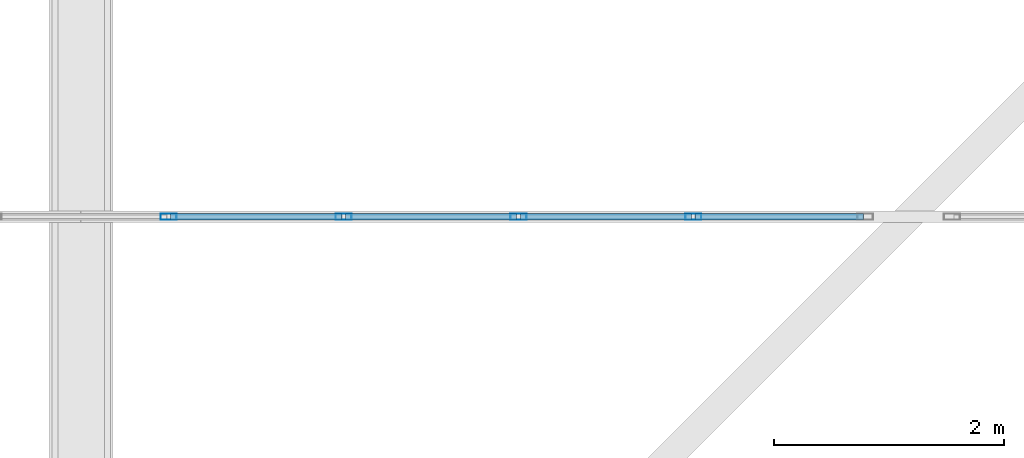
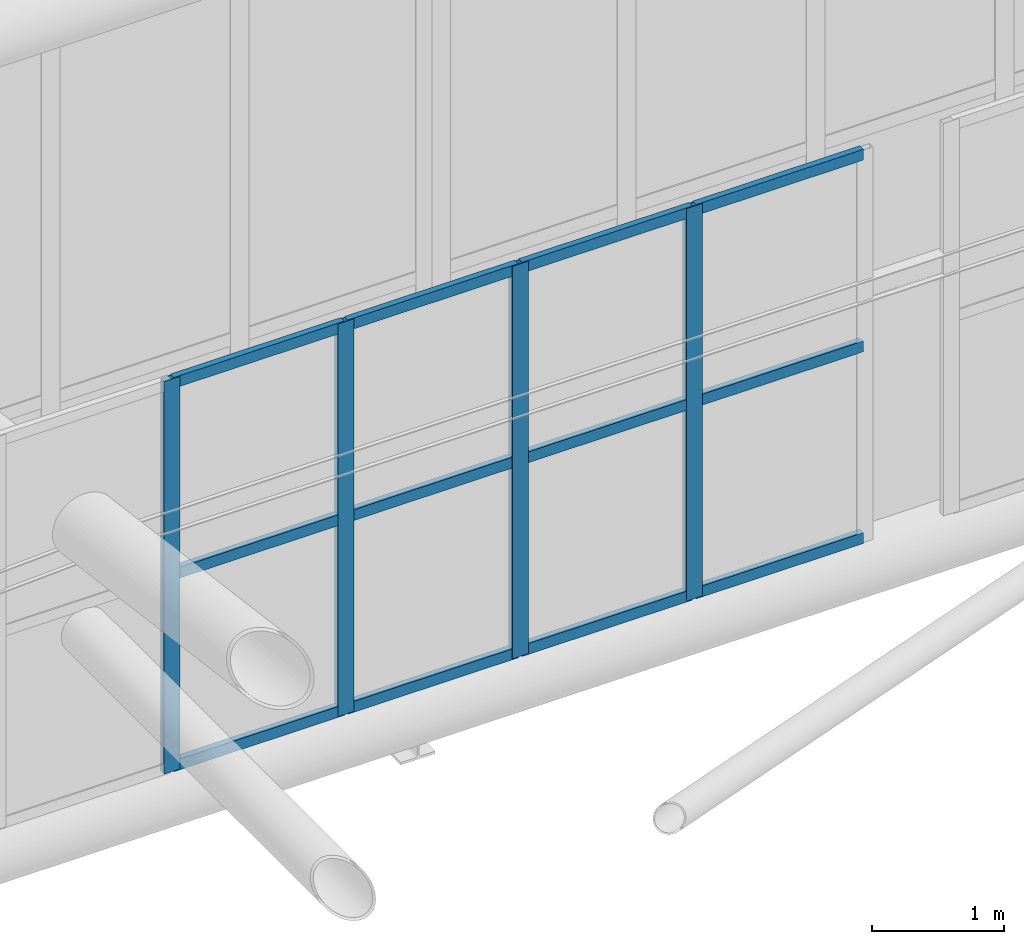
# One storey, part 253 of 397: 16 members, 1 element without a shape of its own.
"""IFC4 building model written with IfcOpenShell, lengths in metres."""

from ifc_helpers import new_model, si_unit, direction, frame, origin, origin_2d, place, context, subcontext, project, spatial, hollow_rectangle, extrude, material, material_profile, profile_set, type_object, element, aggregate, save


model = new_model("IFC4")

# Units and contexts
model_context = context("Model", 3, precision=1e-05, world=origin(), true_north=direction((0.0, 1.0)))
body_context = subcontext(model_context, "Body", "Model", "MODEL_VIEW")
ifc_project = project(units=[si_unit("LENGTHUNIT", "METRE"), si_unit("AREAUNIT", "SQUARE_METRE"), si_unit("VOLUMEUNIT", "CUBIC_METRE"), si_unit("PLANEANGLEUNIT", "RADIAN"), si_unit("MASSUNIT", "GRAM", prefix="KILO")], contexts=[model_context])

# Site, building, storey
site_placement = place(None, origin())
site = spatial("IfcSite", under=ifc_project, at=site_placement, CompositionType="ELEMENT")
building_placement = place(site_placement, origin())
building = spatial("IfcBuilding", under=site, at=building_placement, Name="Qandorah Velis Arena", CompositionType="ELEMENT")
storey_placement = place(building_placement, frame((0.0, 0.0, 27.5)))
storey = spatial("IfcBuildingStorey", under=building, at=storey_placement, Name="RF", CompositionType="ELEMENT", Elevation=27.5)

# Curtain wall, members
ifc_material_1 = material(Name="Solar-control low-E double glazing", Category="glass")
curtain_wall_type = type_object("IfcCurtainWallType", Name="ARC-CW-SYS03", PredefinedType="USERDEFINED", material=ifc_material_1)
curtain_wall_placement = place(storey_placement, origin())
curtain_wall = element("IfcCurtainWall", 1, at=curtain_wall_placement, inside=storey, type_object=curtain_wall_type, Name="Unitised curtain wall MON-4-3", ObjectType="UNITISED CURTAIN WALL", PredefinedType="USERDEFINED")
ifc_material_2 = material(Name="Champagne-bronze anodized aluminium 6063-T6", Category="aluminium")
ifc_material_profile_1 = material_profile(ifc_material_2, hollow_rectangle(XDim=0.054931640625, YDim=0.139892578125, WallThickness=0.0029296875, at=origin_2d()), Name="ALU MULLION 55x140")
ifc_profile_set_1 = profile_set([ifc_material_profile_1], Name="Champagne-bronze anodized aluminium 6063-T6")
member_type_1 = type_object("IfcMemberType", Name="ARC-CWM-140", PredefinedType="MULLION", material=ifc_profile_set_1)
member_1_placement = place(storey_placement, frame((58.361083984375, 108.0, 6.064697265625), z_axis=(0.0, 0.0, 1.0), x_axis=(0.0, 1.0, 0.0)))
member_1 = element("IfcMember", 2, at=member_1_placement, type_object=member_type_1, Name="CW03 mullion 6", PredefinedType="MULLION", context=body_context, shape_type="SweptSolid", body=[
    extrude(hollow_rectangle(XDim=0.054931640625, YDim=0.139892578125, WallThickness=0.0029296875, at=origin_2d()), origin(), (0.0, 0.0, 1.0), 3.6298828125),
])
member_2_placement = place(storey_placement, frame((59.88330078125, 108.0, 6.064697265625), z_axis=(0.0, 0.0, 1.0), x_axis=(0.0, 1.0, 0.0)))
member_2 = element("IfcMember", 3, at=member_2_placement, type_object=member_type_1, Name="CW03 mullion 7", PredefinedType="MULLION", context=body_context, shape_type="SweptSolid", body=[
    extrude(hollow_rectangle(XDim=0.054931640625, YDim=0.139892578125, WallThickness=0.0029296875, at=origin_2d()), origin(), (0.0, 0.0, 1.0), 3.6298828125),
])
member_3_placement = place(storey_placement, frame((61.405517578125, 108.0, 6.064697265625), z_axis=(0.0, 0.0, 1.0), x_axis=(0.0, 1.0, 0.0)))
member_3 = element("IfcMember", 4, at=member_3_placement, type_object=member_type_1, Name="CW03 mullion 8", PredefinedType="MULLION", context=body_context, shape_type="SweptSolid", body=[
    extrude(hollow_rectangle(XDim=0.054931640625, YDim=0.139892578125, WallThickness=0.0029296875, at=origin_2d()), origin(), (0.0, 0.0, 1.0), 3.6298828125),
])
member_4_placement = place(storey_placement, frame((62.927734375, 108.0, 6.064697265625), z_axis=(0.0, 0.0, 1.0), x_axis=(0.0, 1.0, 0.0)))
member_4 = element("IfcMember", 5, at=member_4_placement, type_object=member_type_1, Name="CW03 mullion 9", PredefinedType="MULLION", context=body_context, shape_type="SweptSolid", body=[
    extrude(hollow_rectangle(XDim=0.054931640625, YDim=0.139892578125, WallThickness=0.0029296875, at=origin_2d()), origin(), (0.0, 0.0, 1.0), 3.6298828125),
])
ifc_material_profile_2 = material_profile(ifc_material_2, hollow_rectangle(XDim=0.054931640625, YDim=0.10009765625, WallThickness=0.0029296875, at=origin_2d()), Name="ALU TRANSOM 55x100")
ifc_profile_set_2 = profile_set([ifc_material_profile_2], Name="Champagne-bronze anodized aluminium 6063-T6")
member_type_2 = type_object("IfcMemberType", Name="ARC-CWT-100", PredefinedType="USERDEFINED", material=ifc_profile_set_2)
member_5_placement = place(storey_placement, frame((58.376708984375, 108.0, 6.107177734375), z_axis=(1.0, 0.0, 0.0), x_axis=(0.0, 1.0, 0.0)))
member_5 = element("IfcMember", 6, at=member_5_placement, type_object=member_type_2, Name="CW03 transom 6.1", ObjectType="TRANSOM", PredefinedType="USERDEFINED", context=body_context, shape_type="SweptSolid", body=[
    extrude(hollow_rectangle(XDim=0.054931640625, YDim=0.10009765625, WallThickness=0.0029296875, at=origin_2d()), origin(), (0.0, 0.0, 1.0), 1.4912109375),
])
member_6_placement = place(storey_placement, frame((58.376708984375, 108.0, 7.879638671875), z_axis=(1.0, 0.0, 0.0), x_axis=(0.0, 1.0, 0.0)))
member_6 = element("IfcMember", 7, at=member_6_placement, type_object=member_type_2, Name="CW03 transom 6.2", ObjectType="TRANSOM", PredefinedType="USERDEFINED", context=body_context, shape_type="SweptSolid", body=[
    extrude(hollow_rectangle(XDim=0.054931640625, YDim=0.10009765625, WallThickness=0.0029296875, at=origin_2d()), origin(), (0.0, 0.0, 1.0), 1.4912109375),
])
member_7_placement = place(storey_placement, frame((58.376708984375, 108.0, 9.652099609375), z_axis=(1.0, 0.0, 0.0), x_axis=(0.0, 1.0, 0.0)))
member_7 = element("IfcMember", 8, at=member_7_placement, type_object=member_type_2, Name="CW03 transom 6.3", ObjectType="TRANSOM", PredefinedType="USERDEFINED", context=body_context, shape_type="SweptSolid", body=[
    extrude(hollow_rectangle(XDim=0.054931640625, YDim=0.10009765625, WallThickness=0.0029296875, at=origin_2d()), origin(), (0.0, 0.0, 1.0), 1.4912109375),
])
member_8_placement = place(storey_placement, frame((59.898681640625, 108.0, 6.107177734375), z_axis=(1.0, 0.0, 0.0), x_axis=(0.0, 1.0, 0.0)))
member_8 = element("IfcMember", 9, at=member_8_placement, type_object=member_type_2, Name="CW03 transom 7.1", ObjectType="TRANSOM", PredefinedType="USERDEFINED", context=body_context, shape_type="SweptSolid", body=[
    extrude(hollow_rectangle(XDim=0.054931640625, YDim=0.10009765625, WallThickness=0.0029296875, at=origin_2d()), origin(), (0.0, 0.0, 1.0), 1.491455078125),
])
member_9_placement = place(storey_placement, frame((59.898681640625, 108.0, 7.879638671875), z_axis=(1.0, 0.0, 0.0), x_axis=(0.0, 1.0, 0.0)))
member_9 = element("IfcMember", 10, at=member_9_placement, type_object=member_type_2, Name="CW03 transom 7.2", ObjectType="TRANSOM", PredefinedType="USERDEFINED", context=body_context, shape_type="SweptSolid", body=[
    extrude(hollow_rectangle(XDim=0.054931640625, YDim=0.10009765625, WallThickness=0.0029296875, at=origin_2d()), origin(), (0.0, 0.0, 1.0), 1.491455078125),
])
member_10_placement = place(storey_placement, frame((59.898681640625, 108.0, 9.652099609375), z_axis=(1.0, 0.0, 0.0), x_axis=(0.0, 1.0, 0.0)))
member_10 = element("IfcMember", 11, at=member_10_placement, type_object=member_type_2, Name="CW03 transom 7.3", ObjectType="TRANSOM", PredefinedType="USERDEFINED", context=body_context, shape_type="SweptSolid", body=[
    extrude(hollow_rectangle(XDim=0.054931640625, YDim=0.10009765625, WallThickness=0.0029296875, at=origin_2d()), origin(), (0.0, 0.0, 1.0), 1.491455078125),
])
member_11_placement = place(storey_placement, frame((61.421142578125, 108.0, 6.107177734375), z_axis=(1.0, 0.0, 0.0), x_axis=(0.0, 1.0, 0.0)))
member_11 = element("IfcMember", 12, at=member_11_placement, type_object=member_type_2, Name="CW03 transom 8.1", ObjectType="TRANSOM", PredefinedType="USERDEFINED", context=body_context, shape_type="SweptSolid", body=[
    extrude(hollow_rectangle(XDim=0.054931640625, YDim=0.10009765625, WallThickness=0.0029296875, at=origin_2d()), origin(), (0.0, 0.0, 1.0), 1.4912109375),
])
member_12_placement = place(storey_placement, frame((61.421142578125, 108.0, 7.879638671875), z_axis=(1.0, 0.0, 0.0), x_axis=(0.0, 1.0, 0.0)))
member_12 = element("IfcMember", 13, at=member_12_placement, type_object=member_type_2, Name="CW03 transom 8.2", ObjectType="TRANSOM", PredefinedType="USERDEFINED", context=body_context, shape_type="SweptSolid", body=[
    extrude(hollow_rectangle(XDim=0.054931640625, YDim=0.10009765625, WallThickness=0.0029296875, at=origin_2d()), origin(), (0.0, 0.0, 1.0), 1.4912109375),
])
member_13_placement = place(storey_placement, frame((61.421142578125, 108.0, 9.652099609375), z_axis=(1.0, 0.0, 0.0), x_axis=(0.0, 1.0, 0.0)))
member_13 = element("IfcMember", 14, at=member_13_placement, type_object=member_type_2, Name="CW03 transom 8.3", ObjectType="TRANSOM", PredefinedType="USERDEFINED", context=body_context, shape_type="SweptSolid", body=[
    extrude(hollow_rectangle(XDim=0.054931640625, YDim=0.10009765625, WallThickness=0.0029296875, at=origin_2d()), origin(), (0.0, 0.0, 1.0), 1.4912109375),
])
member_14_placement = place(storey_placement, frame((62.943359375, 108.0, 6.107177734375), z_axis=(1.0, 0.0, 0.0), x_axis=(0.0, 1.0, 0.0)))
member_14 = element("IfcMember", 15, at=member_14_placement, type_object=member_type_2, Name="CW03 transom 9.1", ObjectType="TRANSOM", PredefinedType="USERDEFINED", context=body_context, shape_type="SweptSolid", body=[
    extrude(hollow_rectangle(XDim=0.054931640625, YDim=0.10009765625, WallThickness=0.0029296875, at=origin_2d()), origin(), (0.0, 0.0, 1.0), 1.463623046875),
])
member_15_placement = place(storey_placement, frame((62.943359375, 108.0, 7.879638671875), z_axis=(1.0, 0.0, 0.0), x_axis=(0.0, 1.0, 0.0)))
member_15 = element("IfcMember", 16, at=member_15_placement, type_object=member_type_2, Name="CW03 transom 9.2", ObjectType="TRANSOM", PredefinedType="USERDEFINED", context=body_context, shape_type="SweptSolid", body=[
    extrude(hollow_rectangle(XDim=0.054931640625, YDim=0.10009765625, WallThickness=0.0029296875, at=origin_2d()), origin(), (0.0, 0.0, 1.0), 1.463623046875),
])
member_16_placement = place(storey_placement, frame((62.943359375, 108.0, 9.652099609375), z_axis=(1.0, 0.0, 0.0), x_axis=(0.0, 1.0, 0.0)))
member_16 = element("IfcMember", 17, at=member_16_placement, type_object=member_type_2, Name="CW03 transom 9.3", ObjectType="TRANSOM", PredefinedType="USERDEFINED", context=body_context, shape_type="SweptSolid", body=[
    extrude(hollow_rectangle(XDim=0.054931640625, YDim=0.10009765625, WallThickness=0.0029296875, at=origin_2d()), origin(), (0.0, 0.0, 1.0), 1.463623046875),
])
aggregate(curtain_wall, [member_1, member_2, member_3, member_4, member_5, member_6, member_7, member_8, member_9, member_10, member_11, member_12, member_13, member_14, member_15, member_16])

save(model, "model.ifc")
